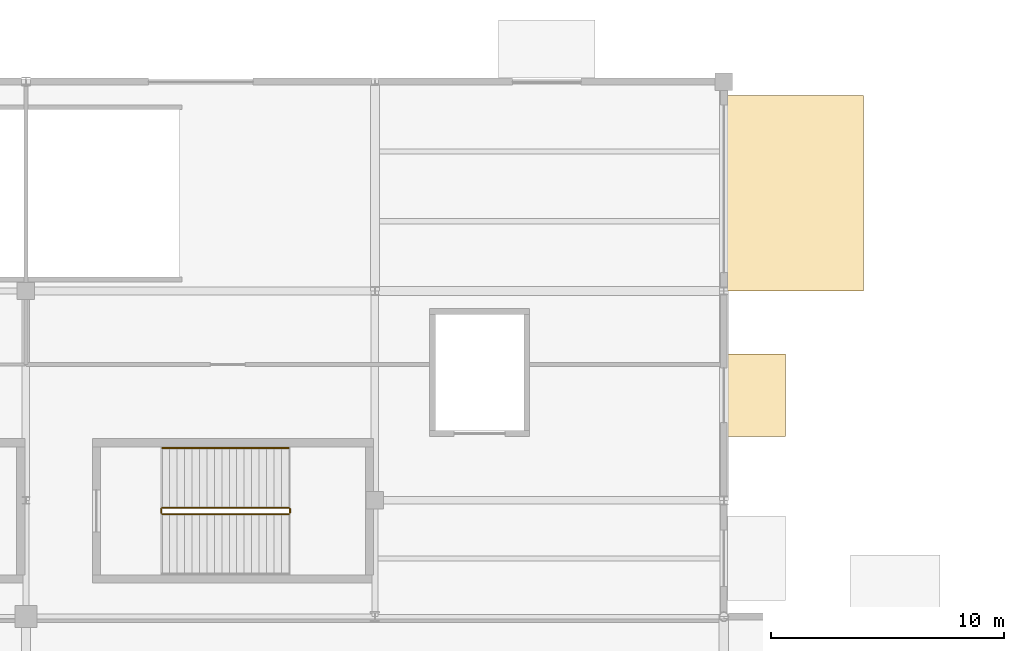
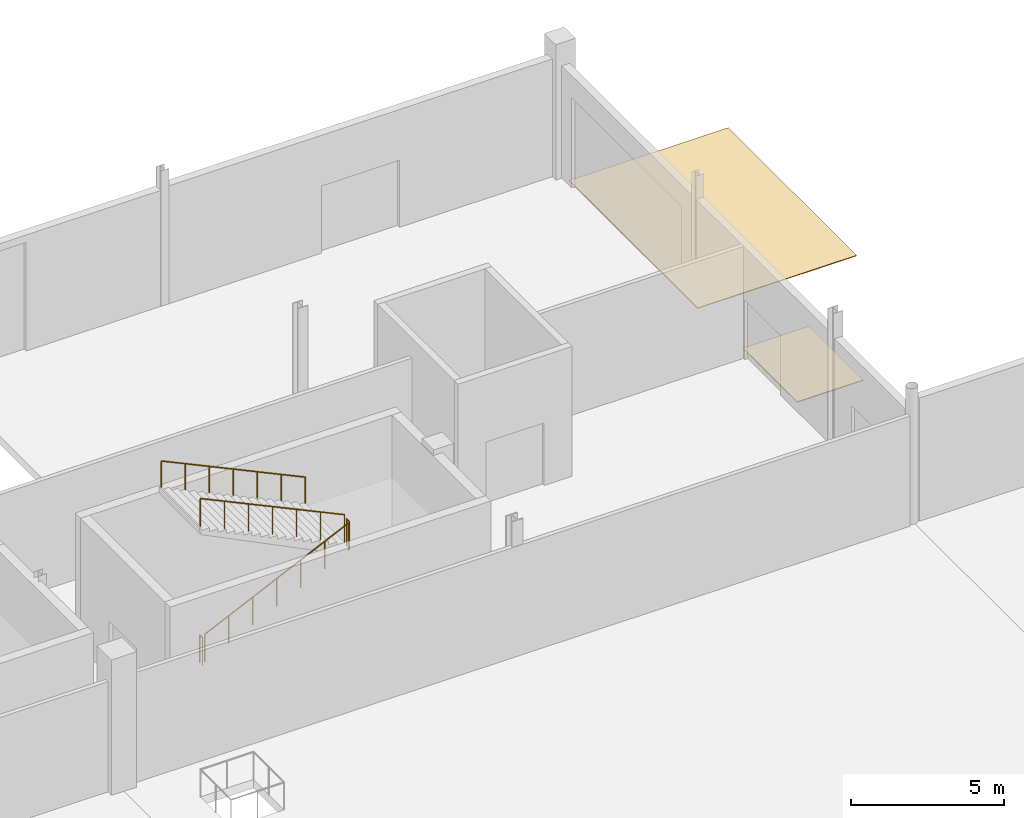
# One storey, part 81 of 94: 5 railings, 2 coverings.
"""IFC4 building model written with IfcOpenShell, lengths in metres."""

from ifc_helpers import new_model, si_unit, direction, frame, origin, origin_2d, place, context, subcontext, project, spatial, rectangle, circle, extrude, material, layer, layer_set, type_object, element, save


model = new_model("IFC4")

# Units and contexts
model_context = context("Model", 3, precision=1e-05, world=origin(), true_north=direction((0.0, 1.0)))
body_context = subcontext(model_context, "Body", "Model", "MODEL_VIEW")
ifc_project = project(units=[si_unit("LENGTHUNIT", "METRE"), si_unit("AREAUNIT", "SQUARE_METRE"), si_unit("VOLUMEUNIT", "CUBIC_METRE"), si_unit("PLANEANGLEUNIT", "RADIAN"), si_unit("MASSUNIT", "GRAM", prefix="KILO")], contexts=[model_context])

# Site, building, storey
site_placement = place(None, origin())
site = spatial("IfcSite", under=ifc_project, at=site_placement, CompositionType="ELEMENT")
building_placement = place(site_placement, origin())
building = spatial("IfcBuilding", under=site, at=building_placement, Name="Qamarlyn Nura Convention Centre", CompositionType="ELEMENT")
storey_placement = place(building_placement, origin())
storey = spatial("IfcBuildingStorey", under=building, at=storey_placement, Name="L00", CompositionType="ELEMENT", Elevation=0.0)

# Coverings
ifc_material_1 = material(Name="Polished coastal aggregate terrazzo")
ifc_layer = layer(ifc_material_1, 0.030029296875, Name="COV-FLOOR-TERR")
ifc_layer_set = layer_set([ifc_layer], Name="Polished coastal aggregate terrazzo")
covering_type = type_object("IfcCoveringType", Name="COV-FLOOR-TERR", PredefinedType="FLOORING", material=ifc_layer_set)
covering_1_placement = place(storey_placement, frame((93.0, 121.199951171875, -0.02978515625), z_axis=(0.0, 0.0, 1.0), x_axis=(1.0, 0.0, 0.0)))
element("IfcCovering", 1, at=covering_1_placement, inside=storey, type_object=covering_type, Name="Car park ramp exterior driveway apron", PredefinedType="FLOORING", context=body_context, shape_type="SweptSolid", body=[
    extrude(rectangle(XDim=6.0, YDim=8.39990234375, at=origin_2d()), origin(), (0.0, 0.0, 1.0), 0.030029296875),
])
covering_2_placement = place(storey_placement, frame((91.389892578125, 112.51611328125, -0.02978515625), z_axis=(0.0, 0.0, 1.0), x_axis=(0.0, -1.0, 0.0)))
element("IfcCovering", 2, at=covering_2_placement, inside=storey, type_object=covering_type, Name="Exterior exit threshold apron E-33", PredefinedType="FLOORING", context=body_context, shape_type="SweptSolid", body=[
    extrude(rectangle(XDim=3.550048828125, YDim=2.5, at=origin_2d()), origin(), (0.0, 0.0, 1.0), 0.030029296875),
])

# Railings
ifc_material_2 = material(Name="Marine Grade 316 stainless steel", Category="steel")
railing_type_1 = type_object("IfcRailingType", Name="GRD-STAIR-112", PredefinedType="BALUSTRADE", material=ifc_material_2)
railing_1_placement = place(storey_placement, frame((65.860107421875, 107.409912109375, 0.14990234375)))
element("IfcRailing", 3, at=railing_1_placement, inside=storey, type_object=railing_type_1, Name="L00 ST-04 stair guard 1", PredefinedType="BALUSTRADE", context=body_context, shape_type="SweptSolid", body=[
    extrude(circle(Radius=0.02392578125, at=origin_2d()), frame((0.0, 0.0, 1.09619140625), z_axis=(0.90545405566, 0.0, 0.424444287379), x_axis=(0.0, 1.0, 0.0)), (0.0, 0.0, 1.0), 6.008056640625),
    extrude(circle(Radius=0.02099609375, at=origin_2d()), origin(), (0.0, 0.0, 1.0), 1.070068359375),
    extrude(circle(Radius=0.02099609375, at=origin_2d()), frame((0.90673828125, 0.0, 0.425048828125)), (0.0, 0.0, 1.0), 1.070068359375),
    extrude(circle(Radius=0.02099609375, at=origin_2d()), frame((1.813232421875, 0.0, 0.85009765625)), (0.0, 0.0, 1.0), 1.070068359375),
    extrude(circle(Radius=0.02099609375, at=origin_2d()), frame((2.719970703125, 0.0, 1.27490234375)), (0.0, 0.0, 1.0), 1.070068359375),
    extrude(circle(Radius=0.02099609375, at=origin_2d()), frame((3.626708984375, 0.0, 1.699951171875)), (0.0, 0.0, 1.0), 1.070068359375),
    extrude(circle(Radius=0.02099609375, at=origin_2d()), frame((4.533203125, 0.0, 2.125)), (0.0, 0.0, 1.0), 1.070068359375),
    extrude(circle(Radius=0.02099609375, at=origin_2d()), frame((5.43994140625, 0.0, 2.550048828125)), (0.0, 0.0, 1.0), 1.070068359375),
])
railing_2_placement = place(storey_placement, frame((71.35009765625, 107.4599609375, 2.699951171875)))
element("IfcRailing", 4, at=railing_2_placement, inside=storey, type_object=railing_type_1, Name="L00 ST-04 stair guard 2", PredefinedType="BALUSTRADE", context=body_context, shape_type="SweptSolid", body=[
    extrude(circle(Radius=0.02392578125, at=origin_2d()), frame((0.0, 0.0, 1.09619140625), z_axis=(0.0, 1.0, 0.0), x_axis=(-1.0, 0.0, 0.0)), (0.0, 0.0, 1.0), 0.179931640625),
    extrude(circle(Radius=0.02099609375, at=origin_2d()), origin(), (0.0, 0.0, 1.0), 1.070068359375),
    extrude(circle(Radius=0.02099609375, at=origin_2d()), frame((0.0, 0.179931640625, 0.0)), (0.0, 0.0, 1.0), 1.070068359375),
])
railing_3_placement = place(storey_placement, frame((71.300048828125, 107.68994140625, 2.85009765625)))
element("IfcRailing", 5, at=railing_3_placement, inside=storey, type_object=railing_type_1, Name="L00 ST-04 stair guard 3", PredefinedType="BALUSTRADE", context=body_context, shape_type="SweptSolid", body=[
    extrude(circle(Radius=0.02392578125, at=origin_2d()), frame((0.0, 0.0, 1.09619140625), z_axis=(-0.90546967238, 0.0, 0.424410971113), x_axis=(0.0, -1.0, 0.0)), (0.0, 0.0, 1.0), 6.0078125),
    extrude(circle(Radius=0.02099609375, at=origin_2d()), origin(), (0.0, 0.0, 1.0), 1.070068359375),
    extrude(circle(Radius=0.02099609375, at=origin_2d()), frame((-0.90673828125, 0.0, 0.425048828125)), (0.0, 0.0, 1.0), 1.070068359375),
    extrude(circle(Radius=0.02099609375, at=origin_2d()), frame((-1.813232421875, 0.0, 0.849853515625)), (0.0, 0.0, 1.0), 1.070068359375),
    extrude(circle(Radius=0.02099609375, at=origin_2d()), frame((-2.719970703125, 0.0, 1.27490234375)), (0.0, 0.0, 1.0), 1.070068359375),
    extrude(circle(Radius=0.02099609375, at=origin_2d()), frame((-3.626708984375, 0.0, 1.699951171875)), (0.0, 0.0, 1.0), 1.070068359375),
    extrude(circle(Radius=0.02099609375, at=origin_2d()), frame((-4.533203125, 0.0, 2.124755859375)), (0.0, 0.0, 1.0), 1.070068359375),
    extrude(circle(Radius=0.02099609375, at=origin_2d()), frame((-5.43994140625, 0.0, 2.5498046875)), (0.0, 0.0, 1.0), 1.070068359375),
])
railing_4_placement = place(storey_placement, frame((65.81005859375, 107.4599609375, 0.0)))
element("IfcRailing", 6, at=railing_4_placement, inside=storey, type_object=railing_type_1, Name="L00 ST-04 stair guard 4", PredefinedType="BALUSTRADE", context=body_context, shape_type="SweptSolid", body=[
    extrude(circle(Radius=0.02392578125, at=origin_2d()), frame((0.0, 0.0, 1.09619140625), z_axis=(0.0, 1.0, 0.0), x_axis=(-1.0, 0.0, 0.0)), (0.0, 0.0, 1.0), 0.179931640625),
    extrude(circle(Radius=0.02099609375, at=origin_2d()), origin(), (0.0, 0.0, 1.0), 1.070068359375),
    extrude(circle(Radius=0.02099609375, at=origin_2d()), frame((0.0, 0.179931640625, 0.0)), (0.0, 0.0, 1.0), 1.070068359375),
])
railing_type_2 = type_object("IfcRailingType", Name="HRL-STAIR-090", PredefinedType="HANDRAIL", material=ifc_material_2)
railing_5_placement = place(storey_placement, frame((71.300048828125, 110.25, 3.002197265625)))
element("IfcRailing", 7, at=railing_5_placement, inside=storey, type_object=railing_type_2, Name="L00 ST-04 stair handrail 2", PredefinedType="HANDRAIL", context=body_context, shape_type="SweptSolid", body=[
    extrude(circle(Radius=0.02392578125, at=origin_2d()), frame((0.0, 0.0, 0.88818359375), z_axis=(-0.90545405566, 0.0, 0.424444287379), x_axis=(0.0, -1.0, 0.0)), (0.0, 0.0, 1.0), 6.008056640625),
    extrude(circle(Radius=0.02099609375, at=origin_2d()), frame((0.0, 0.0, -0.155029296875)), (0.0, 0.0, 1.0), 1.01708984375),
    extrude(circle(Radius=0.02099609375, at=origin_2d()), frame((-0.90673828125, 0.0, 0.27001953125)), (0.0, 0.0, 1.0), 1.01708984375),
    extrude(circle(Radius=0.02099609375, at=origin_2d()), frame((-1.813232421875, 0.0, 0.695068359375)), (0.0, 0.0, 1.0), 1.01708984375),
    extrude(circle(Radius=0.02099609375, at=origin_2d()), frame((-2.719970703125, 0.0, 1.1201171875)), (0.0, 0.0, 1.0), 1.01708984375),
    extrude(circle(Radius=0.02099609375, at=origin_2d()), frame((-3.626708984375, 0.0, 1.544921875)), (0.0, 0.0, 1.0), 1.01708984375),
    extrude(circle(Radius=0.02099609375, at=origin_2d()), frame((-4.533203125, 0.0, 1.969970703125)), (0.0, 0.0, 1.0), 1.01708984375),
    extrude(circle(Radius=0.02099609375, at=origin_2d()), frame((-5.43994140625, 0.0, 2.39501953125)), (0.0, 0.0, 1.0), 1.01708984375),
])

save(model, "model.ifc")
